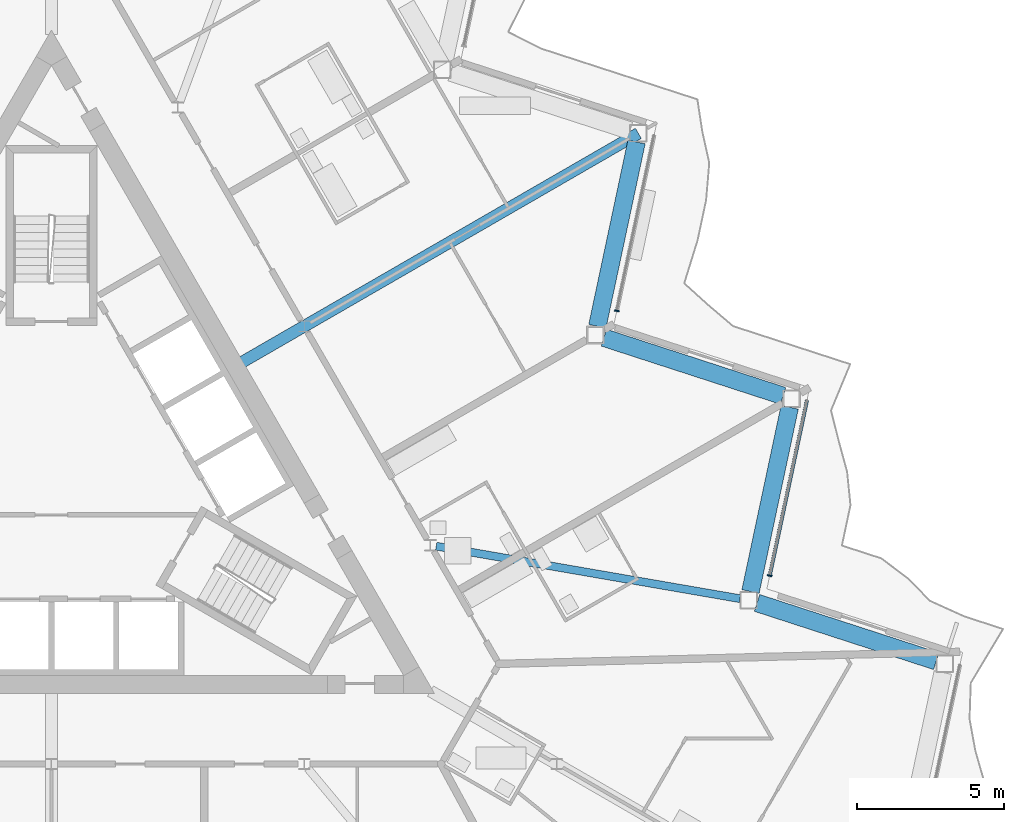
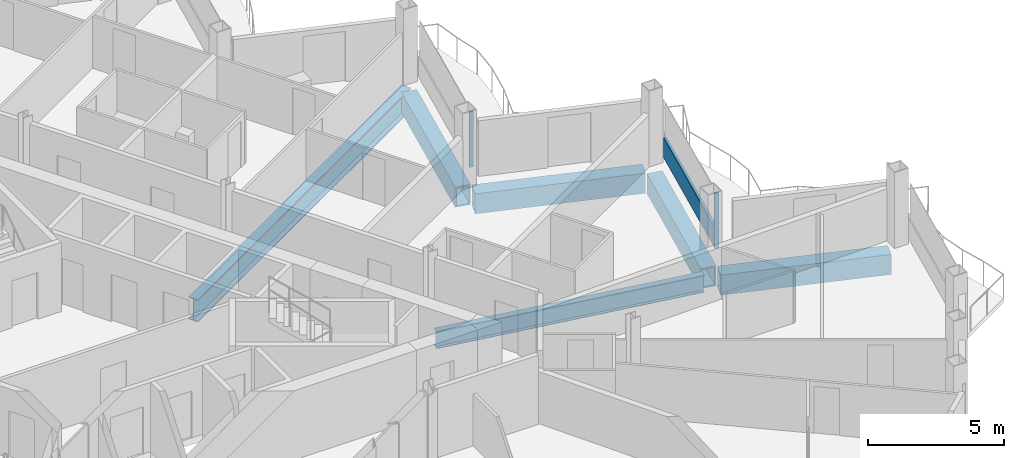
# One storey, part 9 of 28: 5 beams, 4 members, 2 elements without a shape of their own.
"""IFC4 building model written with IfcOpenShell, lengths in metres."""

from ifc_helpers import new_model, si_unit, direction, frame, origin, origin_2d, place, context, subcontext, project, spatial, rectangle, hollow_rectangle, i_section, extrude, material, layer, layer_set, material_profile, profile_set, type_object, element, aggregate, save


model = new_model("IFC4")

# Units and contexts
model_context = context("Model", 3, precision=1e-05, world=origin(), true_north=direction((0.0, 1.0)))
body_context = subcontext(model_context, "Body", "Model", "MODEL_VIEW")
ifc_project = project(units=[si_unit("LENGTHUNIT", "METRE"), si_unit("AREAUNIT", "SQUARE_METRE"), si_unit("VOLUMEUNIT", "CUBIC_METRE"), si_unit("PLANEANGLEUNIT", "RADIAN"), si_unit("MASSUNIT", "GRAM", prefix="KILO")], contexts=[model_context])

# Site, building, storey
site_placement = place(None, origin())
site = spatial("IfcSite", under=ifc_project, at=site_placement, CompositionType="ELEMENT")
building_placement = place(site_placement, origin())
building = spatial("IfcBuilding", under=site, at=building_placement, Name="Cormorant Prow Tower", CompositionType="ELEMENT")
storey_placement = place(building_placement, frame((0.0, 0.0, 301.800048828125)))
storey = spatial("IfcBuildingStorey", under=building, at=storey_placement, Name="L65", CompositionType="ELEMENT", Elevation=301.800048828125)

# Beams
ifc_material_1 = material(Name="Structural steel ASTM A572 Gr 50", Category="steel")
ifc_material_profile_1 = material_profile(ifc_material_1, hollow_rectangle(XDim=0.60009765625, YDim=0.89990234375, WallThickness=0.06005859375, at=origin_2d()), Name="Box 900x600x60")
ifc_profile_set_1 = profile_set([ifc_material_profile_1], Name="Structural steel ASTM A572 Gr 50")
beam_type_1 = type_object("IfcBeamType", Name="Belt truss top chord 900x600x60", PredefinedType="BEAM", material=ifc_profile_set_1)
beam_1_placement = place(storey_placement, frame((30.038330078125, -6.413330078125, -0.75), z_axis=(-0.951064359156, 0.308992855489, 0.0), x_axis=(-0.308992855489, -0.951064359156, 0.0)))
element("IfcBeam", 1, at=beam_1_placement, inside=storey, type_object=beam_type_1, Name="Belt truss top chord TC2 ENE01-ENE02 L65", PredefinedType="BEAM", context=body_context, shape_type="SweptSolid", body=[
    extrude(hollow_rectangle(XDim=0.60009765625, YDim=0.89990234375, WallThickness=0.06005859375, at=origin_2d()), origin(), (0.0, 0.0, 1.0), 6.39599609375),
])
beam_2_placement = place(storey_placement, frame((23.732421875, -4.05078125, -0.75), z_axis=(0.20791262393, 0.978147402394, 0.0), x_axis=(-0.978147402394, 0.20791262393, 0.0)))
element("IfcBeam", 2, at=beam_2_placement, inside=storey, type_object=beam_type_1, Name="Belt truss top chord TC2 ENE02-ENE03 L65", PredefinedType="BEAM", context=body_context, shape_type="SweptSolid", body=[
    extrude(hollow_rectangle(XDim=0.60009765625, YDim=0.89990234375, WallThickness=0.06005859375, at=origin_2d()), origin(), (0.0, 0.0, 1.0), 6.396240234375),
])
beam_3_placement = place(storey_placement, frame((24.83935546875, 2.591796875, -0.75), z_axis=(-0.951064359156, 0.308992855489, 0.0), x_axis=(-0.308992855489, -0.951064359156, 0.0)))
element("IfcBeam", 3, at=beam_3_placement, inside=storey, type_object=beam_type_1, Name="Belt truss top chord TC2 ENE03-ENE04 L65", PredefinedType="BEAM", context=body_context, shape_type="SweptSolid", body=[
    extrude(hollow_rectangle(XDim=0.60009765625, YDim=0.89990234375, WallThickness=0.06005859375, at=origin_2d()), origin(), (0.0, 0.0, 1.0), 6.39599609375),
])
beam_4_placement = place(storey_placement, frame((18.533447265625, 4.954345703125, -0.75), z_axis=(0.20791262393, 0.978147402394, 0.0), x_axis=(-0.978147402394, 0.20791262393, 0.0)))
element("IfcBeam", 4, at=beam_4_placement, inside=storey, type_object=beam_type_1, Name="Belt truss top chord TC2 ENE04-ENE05 L65", PredefinedType="BEAM", context=body_context, shape_type="SweptSolid", body=[
    extrude(hollow_rectangle(XDim=0.60009765625, YDim=0.89990234375, WallThickness=0.06005859375, at=origin_2d()), origin(), (0.0, 0.0, 1.0), 6.396240234375),
])

# Member
ifc_material_2 = material(Name="Structural steel ASTM A992 Gr 50", Category="steel")
ifc_material_profile_2 = material_profile(ifc_material_2, i_section(OverallWidth=0.39990234375, OverallDepth=1.000244140625, WebThickness=0.01904296875, FlangeThickness=0.0361328125, at=origin_2d()), Name="W40x249")
ifc_profile_set_2 = profile_set([ifc_material_profile_2], Name="Structural steel ASTM A992 Gr 50")
member_type_1 = type_object("IfcMemberType", Name="Outrigger chord W40x249", PredefinedType="CHORD", material=ifc_profile_set_2)
member_1_placement = place(storey_placement, frame((6.3701171875, 3.677734375, -0.80029296875), z_axis=(0.866020128902, 0.500009136254, 0.0), x_axis=(-0.500009136254, 0.866020128902, 0.0)))
element("IfcMember", 5, at=member_1_placement, inside=storey, type_object=member_type_1, Name="Outrigger top chord 6 L65", PredefinedType="CHORD", context=body_context, shape_type="SweptSolid", body=[
    extrude(i_section(OverallWidth=0.39990234375, OverallDepth=1.000244140625, WebThickness=0.01904296875, FlangeThickness=0.0361328125, at=origin_2d()), origin(), (0.0, 0.0, 1.0), 15.652587890625),
])

# Beam
ifc_material_3 = material(Name="Structural steel ASTM A992 Gr 50", Category="steel")
ifc_material_profile_3 = material_profile(ifc_material_3, i_section(OverallWidth=0.267822265625, OverallDepth=0.77001953125, WebThickness=0.015625, FlangeThickness=0.025390625, at=origin_2d()), Name="W30x132")
ifc_profile_set_3 = profile_set([ifc_material_profile_3], Name="Structural steel ASTM A992 Gr 50")
beam_type_2 = type_object("IfcBeamType", Name="Radial floor beam W30x132", PredefinedType="BEAM", material=ifc_profile_set_3)
beam_5_placement = place(storey_placement, frame((13.0625, -2.510009765625, -0.68505859375), z_axis=(0.985379592304, -0.170373293304, 0.0), x_axis=(0.170373293304, 0.985379592304, 0.0)))
element("IfcBeam", 6, at=beam_5_placement, inside=storey, type_object=beam_type_2, Name="Radial floor beam FB3 10 L65", PredefinedType="BEAM", context=body_context, shape_type="SweptSolid", body=[
    extrude(i_section(OverallWidth=0.267822265625, OverallDepth=0.77001953125, WebThickness=0.015625, FlangeThickness=0.025390625, at=origin_2d()), origin(), (0.0, 0.0, 1.0), 10.465087890625),
])

# Curtain wall, member
ifc_material_4 = material(Name="Aluminium 6063-T6", Category="aluminium")
ifc_layer = layer(ifc_material_4, 0.159912109375)
ifc_layer_set = layer_set([ifc_layer], Name="Aluminium 6063-T6")
curtain_wall_type = type_object("IfcCurtainWallType", Name="Residential unitised curtain wall 160", PredefinedType="NOTDEFINED", material=ifc_layer_set)
curtain_wall_1_placement = place(storey_placement, origin())
curtain_wall_1 = element("IfcCurtainWall", 7, at=curtain_wall_1_placement, inside=storey, type_object=curtain_wall_type, Name="Residential curtain wall ENE02", PredefinedType="NOTDEFINED")
ifc_material_5 = material(Name="Aluminium 6063-T6", Category="aluminium")
ifc_material_profile_4 = material_profile(ifc_material_5, rectangle(XDim=0.159912109375, YDim=0.050048828125, at=origin_2d()), Name="Residential mullion 50x160")
ifc_profile_set_4 = profile_set([ifc_material_profile_4], Name="Aluminium 6063-T6")
member_type_2 = type_object("IfcMemberType", Name="Residential mullion 50x160", PredefinedType="MULLION", material=ifc_profile_set_4)
member_2_placement = place(storey_placement, frame((24.384033203125, -3.510009765625, 0.0), z_axis=(0.0, 0.0, 1.0), x_axis=(-0.978147600523, 0.207911691808, 0.0)))
member_2 = element("IfcMember", 8, at=member_2_placement, type_object=member_type_2, Name="Residential mullion ENE02", PredefinedType="MULLION", context=body_context, shape_type="SweptSolid", body=[
    extrude(rectangle(XDim=0.159912109375, YDim=0.050048828125, at=origin_2d()), origin(), (0.0, 0.0, 1.0), 2.48779296875),
])

curtain_wall_2_placement = place(storey_placement, origin())
curtain_wall_2 = element("IfcCurtainWall", 9, at=curtain_wall_2_placement, inside=storey, type_object=curtain_wall_type, Name="Residential curtain wall ENE04", PredefinedType="NOTDEFINED")
member_3_placement = place(storey_placement, frame((19.19287109375, 5.48095703125, 0.0), z_axis=(0.0, 0.0, 1.0), x_axis=(-0.978147600523, 0.207911691808, 0.0)))
member_3 = element("IfcMember", 10, at=member_3_placement, type_object=member_type_2, Name="Residential mullion ENE04", PredefinedType="MULLION", context=body_context, shape_type="SweptSolid", body=[
    extrude(rectangle(XDim=0.159912109375, YDim=0.050048828125, at=origin_2d()), origin(), (0.0, 0.0, 1.0), 2.48779296875),
])
aggregate(curtain_wall_2, [member_3])

# Member
ifc_material_6 = material(Name="Terracotta", Category="masonry")
ifc_material_profile_5 = material_profile(ifc_material_6, rectangle(XDim=0.1201171875, YDim=0.89990234375, at=origin_2d()), Name="Residential terracotta spandrel rail 120x900")
ifc_profile_set_5 = profile_set([ifc_material_profile_5], Name="Terracotta")
member_type_3 = type_object("IfcMemberType", Name="Residential terracotta spandrel rail 120x900", PredefinedType="USERDEFINED", material=ifc_profile_set_5)
member_4_placement = place(storey_placement, frame((24.38916015625, -3.485595703125, 0.449951171875), z_axis=(0.207918432162, 0.978146167793, 0.0), x_axis=(-0.978146167793, 0.207918432162, 0.0)))
member_4 = element("IfcMember", 11, at=member_4_placement, type_object=member_type_3, Name="Residential spandrel rail ENE02", ObjectType="TRANSOM", PredefinedType="USERDEFINED", context=body_context, shape_type="SweptSolid", body=[
    extrude(rectangle(XDim=0.1201171875, YDim=0.89990234375, at=origin_2d()), origin(), (0.0, 0.0, 1.0), 6.067138671875),
])

aggregate(curtain_wall_1, [member_2, member_4])

save(model, "model.ifc")
